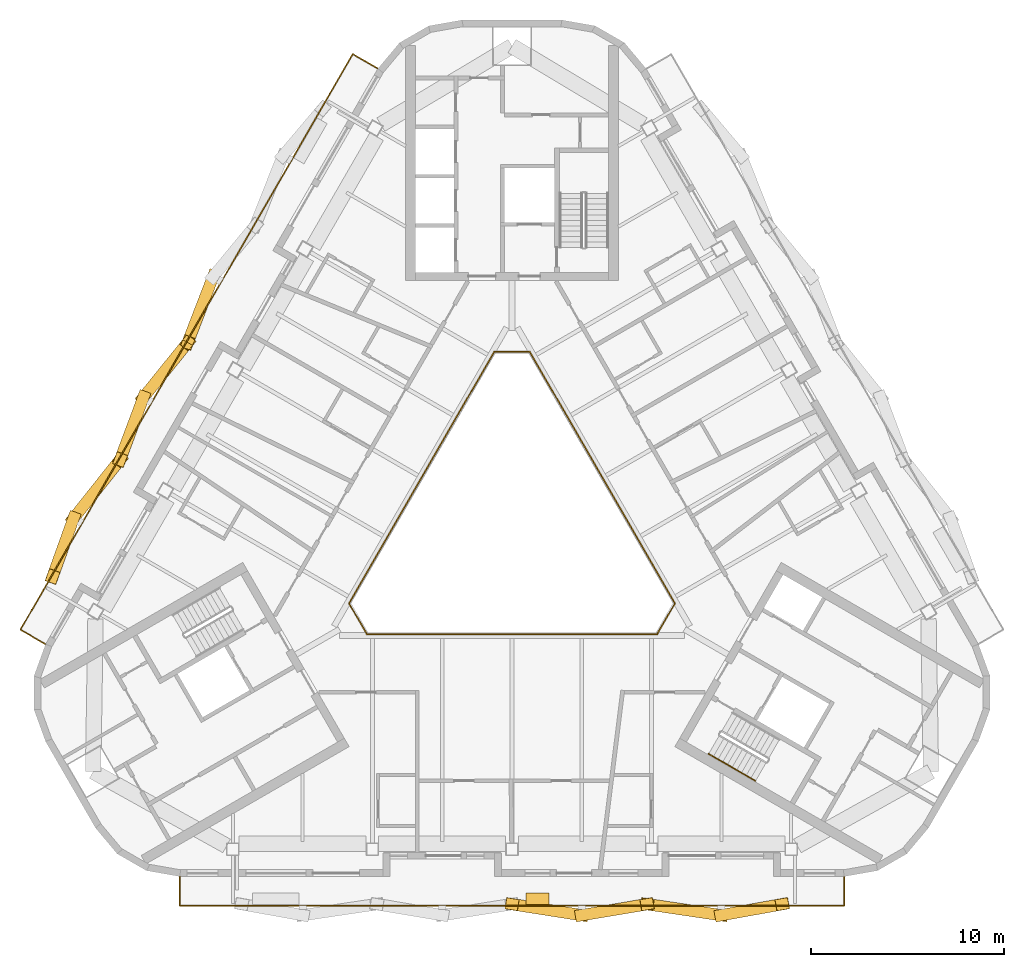
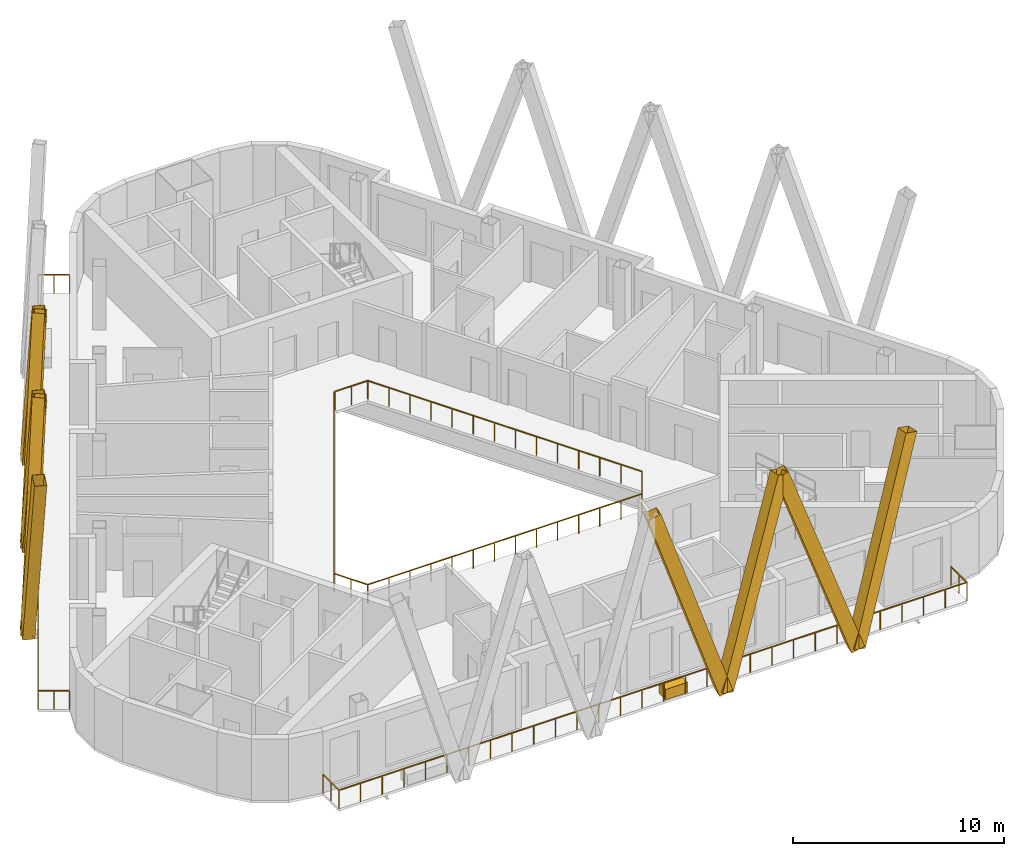
# One storey, part 10 of 13: 9 shading devices, 5 railings, 1 covering.
"""IFC4 building model written with IfcOpenShell, lengths in metres."""

import ifcopenshell
import ifcopenshell.guid

model = None  # the IFC model being written
_history = None  # IfcOwnerHistory: only IFC2X3 demands one
_inside = {}  # id of a spatial element -> (the spatial element, [elements in it])
_under = {}  # id of a project, library or spatial element -> (it, [spatial elements below it])
_declared = {}  # id of a project -> (the project, [libraries it declares])
_typed = {}  # id of a type object -> (the type object, [elements of that type])
_made_of = {}  # id of a material, layer set ... -> (it, [elements and type objects made of it])


def new_model(schema):
    """Start an empty IFC model of exactly this schema.

    Asked for "IFC4X3", IfcOpenShell would pick the latest addendum, in which some entities
    have other attributes; the version numbers below select the first issue.
    IFC2X3 requires an IfcOwnerHistory on every rooted entity: one is made here for all.
    """
    global model, _history
    if schema == "IFC4X3":
        model = ifcopenshell.file(schema_version=(4, 3, 0, 0))
    else:
        model = ifcopenshell.file(schema=schema)
    _inside.clear()
    _under.clear()
    _declared.clear()
    _typed.clear()
    _made_of.clear()
    _history = None
    if model.schema == "IFC2X3":
        org = make("IfcOrganization", Name="unknown")
        user = make(
            "IfcPersonAndOrganization",
            ThePerson=make("IfcPerson", FamilyName="unknown"),
            TheOrganization=org,
        )
        app = make(
            "IfcApplication",
            ApplicationDeveloper=org,
            Version="unknown",
            ApplicationFullName="unknown",
            ApplicationIdentifier="unknown",
        )
        _history = make(
            "IfcOwnerHistory",
            OwningUser=user,
            OwningApplication=app,
            ChangeAction="ADDED",
            CreationDate=0,
        )
    return model


def make(cls, **values):
    """One entity of the class cls with the attributes given. An attribute that is None is left unset."""
    return model.create_entity(
        cls, **{name: value for name, value in values.items() if value is not None}
    )


def rooted(cls, **values):
    """An entity with a GlobalId (a new one), such as an element, a storey or a relation."""
    return make(cls, GlobalId=ifcopenshell.guid.new(), OwnerHistory=_history, **values)


def si_unit(unit_type, name, prefix=None):
    """IfcSIUnit, for example si_unit("LENGTHUNIT", "METRE", prefix="MILLI")."""
    return make("IfcSIUnit", UnitType=unit_type, Prefix=prefix, Name=name)


def assignment(units):
    """IfcUnitAssignment: the units of a project."""
    return None if units is None else make("IfcUnitAssignment", Units=units)


def point(xyz):
    """IfcCartesianPoint."""
    return None if xyz is None else make("IfcCartesianPoint", Coordinates=xyz)


def direction(xyz):
    """IfcDirection."""
    return None if xyz is None else make("IfcDirection", DirectionRatios=xyz)


def frame(location, z_axis=None, x_axis=None):
    """IfcAxis2Placement3D, a coordinate frame: its origin and axes. An axis left out is left unset."""
    return make(
        "IfcAxis2Placement3D",
        Location=point(location),
        Axis=direction(z_axis),
        RefDirection=direction(x_axis),
    )


def frame_2d(location, x_axis=None):
    """IfcAxis2Placement2D, a coordinate frame in the plane: its origin and x axis."""
    return make(
        "IfcAxis2Placement2D", Location=point(location), RefDirection=direction(x_axis)
    )


def origin():
    """The frame at (0, 0, 0) with its axes left unset."""
    return frame((0.0, 0.0, 0.0))


def origin_2d():
    """The frame at (0, 0) in the plane with its x axis left unset."""
    return frame_2d((0.0, 0.0))


def place(relative_to, where):
    """IfcLocalPlacement: puts the frame where relative to a parent placement (None: the world)."""
    return make(
        "IfcLocalPlacement", PlacementRelTo=relative_to, RelativePlacement=where
    )


def context(
    kind, dimensions, precision=None, world=None, true_north=None, identifier=None
):
    """IfcGeometricRepresentationContext, for example the 3D "Model" context."""
    return make(
        "IfcGeometricRepresentationContext",
        ContextIdentifier=identifier,
        ContextType=kind,
        CoordinateSpaceDimension=dimensions,
        Precision=precision,
        WorldCoordinateSystem=world,
        TrueNorth=true_north,
    )


def subcontext(parent, identifier, kind, view, scale=None):
    """IfcGeometricRepresentationSubContext, for example "Body" below "Model"."""
    return make(
        "IfcGeometricRepresentationSubContext",
        ContextIdentifier=identifier,
        ContextType=kind,
        ParentContext=parent,
        TargetScale=scale,
        TargetView=view,
    )


def project(units=None, contexts=None):
    """IfcProject with its units and contexts."""
    return rooted(
        "IfcProject",
        Name="project",
        RepresentationContexts=contexts,
        UnitsInContext=assignment(units),
    )


def spatial(cls, under=None, at=None, **own):
    """A site, building, storey or space (cls), placed at a placement, below another one or the project."""
    s = rooted(cls, ObjectPlacement=at, **own)
    if under is not None:
        _under.setdefault(under.id(), (under, []))[1].append(s)
    return s


def profile(cls, at=None, kind="AREA", **sizes):
    """A parametric profile (cls). Its sizes go by their IFC names, for example OverallWidth=200.0."""
    return make(cls, ProfileType=kind, Position=at, **sizes)


def rectangle(**sizes):
    """IfcRectangleProfileDef."""
    return profile("IfcRectangleProfileDef", **sizes)


def hollow_rectangle(**sizes):
    """IfcRectangleHollowProfileDef."""
    return profile("IfcRectangleHollowProfileDef", **sizes)


def circle(**sizes):
    """IfcCircleProfileDef."""
    return profile("IfcCircleProfileDef", **sizes)


def extrude(swept, where, along, depth):
    """IfcExtrudedAreaSolid: the profile swept, set in the frame where, extruded along a direction by depth."""
    return make(
        "IfcExtrudedAreaSolid",
        SweptArea=swept,
        Position=where,
        ExtrudedDirection=direction(along),
        Depth=depth,
    )


def shape(context_of_items, identifier, shape_type, items):
    """IfcShapeRepresentation: the items that make up one representation, for example the "Body"."""
    return make(
        "IfcShapeRepresentation",
        ContextOfItems=context_of_items,
        RepresentationIdentifier=identifier,
        RepresentationType=shape_type,
        Items=items,
    )


def material(Name=None, Category=None):
    """IfcMaterial."""
    return make("IfcMaterial", Name=Name, Category=Category)


def material_profile(
    of_material, cross_section, Name=None, Category=None, Priority=None
):
    """IfcMaterialProfile: a cross section and its material."""
    return make(
        "IfcMaterialProfile",
        Name=Name,
        Material=of_material,
        Profile=cross_section,
        Priority=Priority,
        Category=Category,
    )


def profile_set(profiles, Name=None, composite=None):
    """IfcMaterialProfileSet."""
    return make(
        "IfcMaterialProfileSet",
        Name=Name,
        MaterialProfiles=profiles,
        CompositeProfile=composite,
    )


def made_of(thing, what):
    """Note that an element or type object is made of a material, layer set ...; save() writes the relation."""
    if what is not None:
        _made_of.setdefault(what.id(), (what, []))[1].append(thing)
    return thing


def type_object(cls, material=None, **own):
    """A type object (cls), such as IfcWallType, which elements share."""
    return made_of(rooted(cls, **own), material)


def element(
    cls,
    number,
    at=None,
    inside=None,
    cuts=None,
    type_object=None,
    material=None,
    context=None,
    identifier="Body",
    shape_type=None,
    held_by="IfcProductDefinitionShape",
    body=None,
    shapes=None,
    **own,
):
    """One element of the class cls, such as IfcWall. Its Tag is "e" and its number.

    at: its placement. inside: the storey or other place that contains it. cuts: it is an
    opening in that element (IfcRelVoidsElement). A single representation is given by context,
    identifier, shape_type and body (its items); several are given by shapes. held_by: the class
    of the entity that holds the representations. save() writes the other relations.
    """
    e = rooted(cls, Tag="e%d" % number, ObjectPlacement=at, **own)
    if body is not None:
        shapes = [shape(context, identifier, shape_type, body)]
    if shapes is not None:
        e.Representation = make(held_by, Representations=shapes)
    if inside is not None:
        _inside.setdefault(inside.id(), (inside, []))[1].append(e)
    if cuts is not None:
        rooted(
            "IfcRelVoidsElement", RelatingBuildingElement=cuts, RelatedOpeningElement=e
        )
    if type_object is not None:
        _typed.setdefault(type_object.id(), (type_object, []))[1].append(e)
    return made_of(e, material)


def aggregate(whole, parts):
    """IfcRelAggregates: a whole, such as a stair, and the parts it consists of."""
    return rooted("IfcRelAggregates", RelatingObject=whole, RelatedObjects=parts)


def save(model, path):
    """Write the relations noted so far, then the file.

    IfcRelAggregates (storeys below a building ...), IfcRelContainedInSpatialStructure (elements
    in a storey), IfcRelDefinesByType, IfcRelAssociatesMaterial and IfcRelDeclares: one each for
    every whole, place, type object, material and project.
    """
    for whole, parts in _under.values():
        aggregate(whole, parts)
    for where, things in _inside.values():
        rooted(
            "IfcRelContainedInSpatialStructure",
            RelatedElements=things,
            RelatingStructure=where,
        )
    for kind, things in _typed.values():
        rooted("IfcRelDefinesByType", RelatedObjects=things, RelatingType=kind)
    for what, things in _made_of.values():
        rooted("IfcRelAssociatesMaterial", RelatedObjects=things, RelatingMaterial=what)
    for by, libraries in _declared.values():
        rooted("IfcRelDeclares", RelatingContext=by, RelatedDefinitions=libraries)
    model.write(path)


model = new_model("IFC4")

# Units and contexts
model_context = context("Model", 3, precision=1e-05, world=origin(), true_north=direction((0.0, 1.0)))
body_context = subcontext(model_context, "Body", "Model", "MODEL_VIEW")
ifc_project = project(units=[si_unit("LENGTHUNIT", "METRE"), si_unit("AREAUNIT", "SQUARE_METRE"), si_unit("VOLUMEUNIT", "CUBIC_METRE"), si_unit("PLANEANGLEUNIT", "RADIAN"), si_unit("MASSUNIT", "GRAM", prefix="KILO")], contexts=[model_context])

# Site, building, storey
site_placement = place(None, origin())
site = spatial("IfcSite", under=ifc_project, at=site_placement, CompositionType="ELEMENT")
building_placement = place(site_placement, origin())
building = spatial("IfcBuilding", under=site, at=building_placement, Name="Apuvela Tower Hotel", CompositionType="ELEMENT")
storey_placement = place(building_placement, frame((0.0, 0.0, 280.0)))
storey = spatial("IfcBuildingStorey", under=building, at=storey_placement, Name="L69", CompositionType="ELEMENT", Elevation=280.0)

# Railing
ifc_material_1 = material(Name="Stainless steel 316 handrail", Category="steel")
railing_type_1 = type_object("IfcRailingType", Name="COR-HANDRAIL-900", PredefinedType="HANDRAIL", material=ifc_material_1)
railing_1_placement = place(storey_placement, frame((10.1689453125, -11.5869140625, 0.168212890625)))
element("IfcRailing", 1, at=railing_1_placement, inside=storey, type_object=railing_type_1, Name="L69 ST3 stair handrail 1", PredefinedType="HANDRAIL", context=body_context, shape_type="SweptSolid", body=[
    extrude(circle(Radius=0.02392578125, at=origin_2d()), frame((0.0, 0.0, 0.8759765625), z_axis=(0.742390482028, -0.42860119049, 0.514934356695), x_axis=(0.49998411664, 0.866034573852, 0.0)), (0.0, 0.0, 1.0), 3.26611328125),
    extrude(rectangle(XDim=0.0419921875, YDim=0.0419921875, at=origin_2d()), origin(), (0.0, 0.0, 1.0), 0.851806640625),
    extrude(rectangle(XDim=0.0419921875, YDim=0.0419921875, at=origin_2d()), frame((0.808349609375, -0.466552734375, 0.560546875)), (0.0, 0.0, 1.0), 0.851806640625),
    extrude(rectangle(XDim=0.0419921875, YDim=0.0419921875, at=origin_2d()), frame((1.616455078125, -0.933349609375, 1.121337890625)), (0.0, 0.0, 1.0), 0.851806640625),
    extrude(rectangle(XDim=0.0419921875, YDim=0.0419921875, at=origin_2d()), frame((2.4248046875, -1.39990234375, 1.681884765625)), (0.0, 0.0, 1.0), 0.851806640625),
])

# Shading devices
ifc_material_2 = material(Name="Aluminium 6063-T6, black anodised", Category="aluminium")
ifc_material_profile = material_profile(ifc_material_2, hollow_rectangle(XDim=0.60009765625, YDim=0.699951171875, WallThickness=0.011962890625, at=origin_2d()), Name="AL BOX 700x600x12")
ifc_profile_set = profile_set([ifc_material_profile], Name="Aluminium 6063-T6, black anodised")
shading_device_type = type_object("IfcShadingDeviceType", Name="ENV-FIN-700x600", PredefinedType="USERDEFINED", material=ifc_profile_set)
shading_device_1_placement = place(storey_placement, frame((3.607666015625, -19.9287109375, -0.10009765625), z_axis=(-0.308732219208, 0.048533866497, 0.949909932902), x_axis=(-0.155296550327, -0.987867896764, 0.0)))
element("IfcShadingDevice", 2, at=shading_device_1_placement, inside=storey, type_object=shading_device_type, Name="Lattice fin S557", ObjectType="FIN", PredefinedType="USERDEFINED", context=body_context, shape_type="SweptSolid", body=[
    extrude(hollow_rectangle(XDim=0.60009765625, YDim=0.699951171875, WallThickness=0.011962890625, at=origin_2d()), origin(), (0.0, 0.0, 1.0), 11.685302734375),
])
shading_device_2_placement = place(storey_placement, frame((3.607666015625, -19.9287109375, -0.10009765625), z_axis=(0.29090140611, 0.048819821297, 0.955506670292), x_axis=(-0.165508034258, 0.986208441759, 0.0)))
element("IfcShadingDevice", 3, at=shading_device_2_placement, inside=storey, type_object=shading_device_type, Name="Lattice fin S558", ObjectType="FIN", PredefinedType="USERDEFINED", context=body_context, shape_type="SweptSolid", body=[
    extrude(hollow_rectangle(XDim=0.60009765625, YDim=0.699951171875, WallThickness=0.011962890625, at=origin_2d()), origin(), (0.0, 0.0, 1.0), 11.616943359375),
])
shading_device_3_placement = place(storey_placement, frame((10.822998046875, -19.9287109375, -0.10009765625), z_axis=(-0.326243397672, 0.048234687678, 0.944054373635), x_axis=(-0.146258864264, -0.989246351838, 0.0)))
element("IfcShadingDevice", 4, at=shading_device_3_placement, inside=storey, type_object=shading_device_type, Name="Lattice fin S559", ObjectType="FIN", PredefinedType="USERDEFINED", context=body_context, shape_type="SweptSolid", body=[
    extrude(hollow_rectangle(XDim=0.60009765625, YDim=0.699951171875, WallThickness=0.011962890625, at=origin_2d()), origin(), (0.0, 0.0, 1.0), 11.7578125),
])
shading_device_4_placement = place(storey_placement, frame((10.822998046875, -19.9287109375, -0.10009765625), z_axis=(0.27276226304, 0.049091712795, 0.960828159244), x_axis=(-0.177133794906, 0.984186780394, 0.0)))
element("IfcShadingDevice", 5, at=shading_device_4_placement, inside=storey, type_object=shading_device_type, Name="Lattice fin S560", ObjectType="FIN", PredefinedType="USERDEFINED", context=body_context, shape_type="SweptSolid", body=[
    extrude(hollow_rectangle(XDim=0.60009765625, YDim=0.699951171875, WallThickness=0.011962890625, at=origin_2d()), origin(), (0.0, 0.0, 1.0), 11.552734375),
])
for number, where, z_axis, x_axis, name in (
    (6, (-15.455078125, 13.088623046875, -0.10009765625), (-0.112320151991, -0.291622894621, 0.949915928274), (0.93317663974, -0.359418083912, 0.0), "Lattice fin NW620"),
    (7, (-19.0625, 6.840087890625, -0.10009765625), (0.196391864595, 0.243108057067, 0.949909842095), (-0.777885876447, 0.628405572242, 0.0), "Lattice fin NW621"),
):
    element("IfcShadingDevice", number, at=place(storey_placement, frame(where, z_axis=z_axis, x_axis=x_axis)), inside=storey, type_object=shading_device_type, Name=name, ObjectType="FIN", PredefinedType="USERDEFINED", context=body_context, shape_type="SweptSolid", body=[
        extrude(hollow_rectangle(XDim=0.60009765625, YDim=0.699951171875, WallThickness=0.011962890625, at=origin_2d()), origin(), (0.0, 0.0, 1.0), 11.685302734375),
    ])
shading_device_5_placement = place(storey_placement, frame((-19.0625, 6.840087890625, -0.10009765625), z_axis=(-0.1031876675, -0.27633699388, 0.955505191555), x_axis=(0.936817233822, -0.34981919675, 0.0)))
element("IfcShadingDevice", 8, at=shading_device_5_placement, inside=storey, type_object=shading_device_type, Name="Lattice fin NW622", ObjectType="FIN", PredefinedType="USERDEFINED", context=body_context, shape_type="SweptSolid", body=[
    extrude(hollow_rectangle(XDim=0.60009765625, YDim=0.699951171875, WallThickness=0.011962890625, at=origin_2d()), origin(), (0.0, 0.0, 1.0), 11.616943359375),
])
shading_device_6_placement = place(storey_placement, frame((-22.67041015625, 0.59130859375, -0.10009765625), z_axis=(0.204898039953, 0.258427341433, 0.944050900335), x_axis=(-0.783588570734, 0.621280091275, 0.0)))
element("IfcShadingDevice", 9, at=shading_device_6_placement, inside=storey, type_object=shading_device_type, Name="Lattice fin NW623", ObjectType="FIN", PredefinedType="USERDEFINED", context=body_context, shape_type="SweptSolid", body=[
    extrude(hollow_rectangle(XDim=0.60009765625, YDim=0.699951171875, WallThickness=0.011962890625, at=origin_2d()), origin(), (0.0, 0.0, 1.0), 11.758056640625),
])
shading_device_7_placement = place(storey_placement, frame((-22.67041015625, 0.59130859375, -0.10009765625), z_axis=(-0.093872413584, -0.260759052501, 0.960829166141), x_axis=(0.940888383931, -0.338716768087, 0.0)))
element("IfcShadingDevice", 10, at=shading_device_7_placement, inside=storey, type_object=shading_device_type, Name="Lattice fin NW624", ObjectType="FIN", PredefinedType="USERDEFINED", context=body_context, shape_type="SweptSolid", body=[
    extrude(hollow_rectangle(XDim=0.60009765625, YDim=0.699951171875, WallThickness=0.011962890625, at=origin_2d()), origin(), (0.0, 0.0, 1.0), 11.552734375),
])

# Railings
ifc_material_3 = material(Name="Stainless steel 316 rail with laminated glass infill", Category="steel")
railing_type_2 = type_object("IfcRailingType", Name="ENV-GUARD-1100", PredefinedType="GUARDRAIL", material=ifc_material_3)
railing_2_placement = place(storey_placement, frame((-17.18505859375, -17.9287109375, 0.0)))
element("IfcRailing", 11, at=railing_2_placement, inside=storey, type_object=railing_type_2, Name="Balcony guard S L69", PredefinedType="GUARDRAIL", context=body_context, shape_type="SweptSolid", body=[
    extrude(rectangle(XDim=0.050048828125, YDim=0.050048828125, at=origin_2d()), frame((0.0, 0.0, 1.0751953125), z_axis=(0.0, -1.0, 0.0), x_axis=(1.0, 0.0, 0.0)), (0.0, 0.0, 1.0), 1.5),
    extrude(rectangle(XDim=0.050048828125, YDim=0.050048828125, at=origin_2d()), frame((0.0, -1.5, 1.0751953125), z_axis=(1.0, 0.0, 0.0), x_axis=(0.0, 1.0, 0.0)), (0.0, 0.0, 1.0), 34.3701171875),
    extrude(rectangle(XDim=0.050048828125, YDim=0.050048828125, at=origin_2d()), frame((34.3701171875, -1.5, 1.0751953125), z_axis=(0.0, 1.0, 0.0), x_axis=(-1.0, 0.0, 0.0)), (0.0, 0.0, 1.0), 1.5),
    extrude(rectangle(XDim=0.0400390625, YDim=0.0400390625, at=origin_2d()), origin(), (0.0, 0.0, 1.0), 1.050048828125),
    extrude(rectangle(XDim=0.0400390625, YDim=0.0400390625, at=origin_2d()), frame((0.0, -0.75, 0.0)), (0.0, 0.0, 1.0), 1.050048828125),
    extrude(rectangle(XDim=0.0400390625, YDim=0.0400390625, at=origin_2d()), frame((0.0, -1.5, 0.0)), (0.0, 0.0, 1.0), 1.050048828125),
    extrude(rectangle(XDim=0.0400390625, YDim=0.0400390625, at=origin_2d()), frame((1.18505859375, -1.5, 0.0)), (0.0, 0.0, 1.0), 1.050048828125),
    extrude(rectangle(XDim=0.0400390625, YDim=0.0400390625, at=origin_2d()), frame((2.370361328125, -1.5, 0.0)), (0.0, 0.0, 1.0), 1.050048828125),
    extrude(rectangle(XDim=0.0400390625, YDim=0.0400390625, at=origin_2d()), frame((3.555419921875, -1.5, 0.0)), (0.0, 0.0, 1.0), 1.050048828125),
    extrude(rectangle(XDim=0.0400390625, YDim=0.0400390625, at=origin_2d()), frame((4.74072265625, -1.5, 0.0)), (0.0, 0.0, 1.0), 1.050048828125),
    extrude(rectangle(XDim=0.0400390625, YDim=0.0400390625, at=origin_2d()), frame((5.92578125, -1.5, 0.0)), (0.0, 0.0, 1.0), 1.050048828125),
    extrude(rectangle(XDim=0.0400390625, YDim=0.0400390625, at=origin_2d()), frame((7.111083984375, -1.5, 0.0)), (0.0, 0.0, 1.0), 1.050048828125),
    extrude(rectangle(XDim=0.0400390625, YDim=0.0400390625, at=origin_2d()), frame((8.296142578125, -1.5, 0.0)), (0.0, 0.0, 1.0), 1.050048828125),
    extrude(rectangle(XDim=0.0400390625, YDim=0.0400390625, at=origin_2d()), frame((9.4814453125, -1.5, 0.0)), (0.0, 0.0, 1.0), 1.050048828125),
    extrude(rectangle(XDim=0.0400390625, YDim=0.0400390625, at=origin_2d()), frame((10.66650390625, -1.5, 0.0)), (0.0, 0.0, 1.0), 1.050048828125),
    extrude(rectangle(XDim=0.0400390625, YDim=0.0400390625, at=origin_2d()), frame((11.851806640625, -1.5, 0.0)), (0.0, 0.0, 1.0), 1.050048828125),
    extrude(rectangle(XDim=0.0400390625, YDim=0.0400390625, at=origin_2d()), frame((13.036865234375, -1.5, 0.0)), (0.0, 0.0, 1.0), 1.050048828125),
    extrude(rectangle(XDim=0.0400390625, YDim=0.0400390625, at=origin_2d()), frame((14.22216796875, -1.5, 0.0)), (0.0, 0.0, 1.0), 1.050048828125),
    extrude(rectangle(XDim=0.0400390625, YDim=0.0400390625, at=origin_2d()), frame((15.4072265625, -1.5, 0.0)), (0.0, 0.0, 1.0), 1.050048828125),
    extrude(rectangle(XDim=0.0400390625, YDim=0.0400390625, at=origin_2d()), frame((16.592529296875, -1.5, 0.0)), (0.0, 0.0, 1.0), 1.050048828125),
    extrude(rectangle(XDim=0.0400390625, YDim=0.0400390625, at=origin_2d()), frame((17.777587890625, -1.5, 0.0)), (0.0, 0.0, 1.0), 1.050048828125),
    extrude(rectangle(XDim=0.0400390625, YDim=0.0400390625, at=origin_2d()), frame((18.962890625, -1.5, 0.0)), (0.0, 0.0, 1.0), 1.050048828125),
    extrude(rectangle(XDim=0.0400390625, YDim=0.0400390625, at=origin_2d()), frame((20.14794921875, -1.5, 0.0)), (0.0, 0.0, 1.0), 1.050048828125),
    extrude(rectangle(XDim=0.0400390625, YDim=0.0400390625, at=origin_2d()), frame((21.333251953125, -1.5, 0.0)), (0.0, 0.0, 1.0), 1.050048828125),
    extrude(rectangle(XDim=0.0400390625, YDim=0.0400390625, at=origin_2d()), frame((22.518310546875, -1.5, 0.0)), (0.0, 0.0, 1.0), 1.050048828125),
    extrude(rectangle(XDim=0.0400390625, YDim=0.0400390625, at=origin_2d()), frame((23.70361328125, -1.5, 0.0)), (0.0, 0.0, 1.0), 1.050048828125),
    extrude(rectangle(XDim=0.0400390625, YDim=0.0400390625, at=origin_2d()), frame((24.888671875, -1.5, 0.0)), (0.0, 0.0, 1.0), 1.050048828125),
    extrude(rectangle(XDim=0.0400390625, YDim=0.0400390625, at=origin_2d()), frame((26.073974609375, -1.5, 0.0)), (0.0, 0.0, 1.0), 1.050048828125),
    extrude(rectangle(XDim=0.0400390625, YDim=0.0400390625, at=origin_2d()), frame((27.259033203125, -1.5, 0.0)), (0.0, 0.0, 1.0), 1.050048828125),
    extrude(rectangle(XDim=0.0400390625, YDim=0.0400390625, at=origin_2d()), frame((28.4443359375, -1.5, 0.0)), (0.0, 0.0, 1.0), 1.050048828125),
    extrude(rectangle(XDim=0.0400390625, YDim=0.0400390625, at=origin_2d()), frame((29.62939453125, -1.5, 0.0)), (0.0, 0.0, 1.0), 1.050048828125),
    extrude(rectangle(XDim=0.0400390625, YDim=0.0400390625, at=origin_2d()), frame((30.814697265625, -1.5, 0.0)), (0.0, 0.0, 1.0), 1.050048828125),
    extrude(rectangle(XDim=0.0400390625, YDim=0.0400390625, at=origin_2d()), frame((31.999755859375, -1.5, 0.0)), (0.0, 0.0, 1.0), 1.050048828125),
    extrude(rectangle(XDim=0.0400390625, YDim=0.0400390625, at=origin_2d()), frame((33.18505859375, -1.5, 0.0)), (0.0, 0.0, 1.0), 1.050048828125),
    extrude(rectangle(XDim=0.0400390625, YDim=0.0400390625, at=origin_2d()), frame((34.3701171875, -1.5, 0.0)), (0.0, 0.0, 1.0), 1.050048828125),
    extrude(rectangle(XDim=0.0400390625, YDim=0.0400390625, at=origin_2d()), frame((34.3701171875, -0.75, 0.0)), (0.0, 0.0, 1.0), 1.050048828125),
    extrude(rectangle(XDim=0.0400390625, YDim=0.0400390625, at=origin_2d()), frame((34.3701171875, 0.0, 0.0)), (0.0, 0.0, 1.0), 1.050048828125),
])
railing_3_placement = place(storey_placement, frame((-6.93408203125, 23.84716796875, 0.0)))
element("IfcRailing", 12, at=railing_3_placement, inside=storey, type_object=railing_type_2, Name="Balcony guard NW L69", PredefinedType="GUARDRAIL", context=body_context, shape_type="SweptSolid", body=[
    extrude(rectangle(XDim=0.050048828125, YDim=0.050048828125, at=origin_2d()), frame((0.0, 0.0, 1.0751953125), z_axis=(-0.866031096941, 0.499990139034, 0.0), x_axis=(-0.499990139034, -0.866031096941, 0.0)), (0.0, 0.0, 1.0), 1.5),
    extrude(rectangle(XDim=0.050048828125, YDim=0.050048828125, at=origin_2d()), frame((-1.299072265625, 0.75, 1.0751953125), z_axis=(-0.499997097509, -0.866027079532, 0.0), x_axis=(0.866027079532, -0.499997097509, 0.0)), (0.0, 0.0, 1.0), 34.370361328125),
    extrude(rectangle(XDim=0.050048828125, YDim=0.050048828125, at=origin_2d()), frame((-18.484130859375, -29.015625, 1.0751953125), z_axis=(0.86599040064, -0.500060622324, 0.0), x_axis=(0.500060622324, 0.86599040064, 0.0)), (0.0, 0.0, 1.0), 1.499755859375),
    extrude(rectangle(XDim=0.0400390625, YDim=0.0400390625, at=origin_2d()), origin(), (0.0, 0.0, 1.0), 1.050048828125),
    extrude(rectangle(XDim=0.0400390625, YDim=0.0400390625, at=origin_2d()), frame((-0.6494140625, 0.375, 0.0)), (0.0, 0.0, 1.0), 1.050048828125),
    extrude(rectangle(XDim=0.0400390625, YDim=0.0400390625, at=origin_2d()), frame((-1.299072265625, 0.75, 0.0)), (0.0, 0.0, 1.0), 1.050048828125),
    extrude(rectangle(XDim=0.0400390625, YDim=0.0400390625, at=origin_2d()), frame((-1.8916015625, -0.2763671875, 0.0)), (0.0, 0.0, 1.0), 1.050048828125),
    extrude(rectangle(XDim=0.0400390625, YDim=0.0400390625, at=origin_2d()), frame((-2.484130859375, -1.302734375, 0.0)), (0.0, 0.0, 1.0), 1.050048828125),
    extrude(rectangle(XDim=0.0400390625, YDim=0.0400390625, at=origin_2d()), frame((-3.076904296875, -2.3291015625, 0.0)), (0.0, 0.0, 1.0), 1.050048828125),
    extrude(rectangle(XDim=0.0400390625, YDim=0.0400390625, at=origin_2d()), frame((-3.66943359375, -3.355712890625, 0.0)), (0.0, 0.0, 1.0), 1.050048828125),
    extrude(rectangle(XDim=0.0400390625, YDim=0.0400390625, at=origin_2d()), frame((-4.261962890625, -4.382080078125, 0.0)), (0.0, 0.0, 1.0), 1.050048828125),
    extrude(rectangle(XDim=0.0400390625, YDim=0.0400390625, at=origin_2d()), frame((-4.8544921875, -5.408447265625, 0.0)), (0.0, 0.0, 1.0), 1.050048828125),
    extrude(rectangle(XDim=0.0400390625, YDim=0.0400390625, at=origin_2d()), frame((-5.447265625, -6.434814453125, 0.0)), (0.0, 0.0, 1.0), 1.050048828125),
    extrude(rectangle(XDim=0.0400390625, YDim=0.0400390625, at=origin_2d()), frame((-6.039794921875, -7.461181640625, 0.0)), (0.0, 0.0, 1.0), 1.050048828125),
    extrude(rectangle(XDim=0.0400390625, YDim=0.0400390625, at=origin_2d()), frame((-6.63232421875, -8.487548828125, 0.0)), (0.0, 0.0, 1.0), 1.050048828125),
    extrude(rectangle(XDim=0.0400390625, YDim=0.0400390625, at=origin_2d()), frame((-7.224853515625, -9.513916015625, 0.0)), (0.0, 0.0, 1.0), 1.050048828125),
    extrude(rectangle(XDim=0.0400390625, YDim=0.0400390625, at=origin_2d()), frame((-7.817626953125, -10.54052734375, 0.0)), (0.0, 0.0, 1.0), 1.050048828125),
    extrude(rectangle(XDim=0.0400390625, YDim=0.0400390625, at=origin_2d()), frame((-8.41015625, -11.56689453125, 0.0)), (0.0, 0.0, 1.0), 1.050048828125),
    extrude(rectangle(XDim=0.0400390625, YDim=0.0400390625, at=origin_2d()), frame((-9.002685546875, -12.59326171875, 0.0)), (0.0, 0.0, 1.0), 1.050048828125),
    extrude(rectangle(XDim=0.0400390625, YDim=0.0400390625, at=origin_2d()), frame((-9.59521484375, -13.61962890625, 0.0)), (0.0, 0.0, 1.0), 1.050048828125),
    extrude(rectangle(XDim=0.0400390625, YDim=0.0400390625, at=origin_2d()), frame((-10.18798828125, -14.64599609375, 0.0)), (0.0, 0.0, 1.0), 1.050048828125),
    extrude(rectangle(XDim=0.0400390625, YDim=0.0400390625, at=origin_2d()), frame((-10.780517578125, -15.67236328125, 0.0)), (0.0, 0.0, 1.0), 1.050048828125),
    extrude(rectangle(XDim=0.0400390625, YDim=0.0400390625, at=origin_2d()), frame((-11.373046875, -16.69873046875, 0.0)), (0.0, 0.0, 1.0), 1.050048828125),
    extrude(rectangle(XDim=0.0400390625, YDim=0.0400390625, at=origin_2d()), frame((-11.965576171875, -17.72509765625, 0.0)), (0.0, 0.0, 1.0), 1.050048828125),
    extrude(rectangle(XDim=0.0400390625, YDim=0.0400390625, at=origin_2d()), frame((-12.558349609375, -18.751708984375, 0.0)), (0.0, 0.0, 1.0), 1.050048828125),
    extrude(rectangle(XDim=0.0400390625, YDim=0.0400390625, at=origin_2d()), frame((-13.15087890625, -19.778076171875, 0.0)), (0.0, 0.0, 1.0), 1.050048828125),
    extrude(rectangle(XDim=0.0400390625, YDim=0.0400390625, at=origin_2d()), frame((-13.743408203125, -20.804443359375, 0.0)), (0.0, 0.0, 1.0), 1.050048828125),
    extrude(rectangle(XDim=0.0400390625, YDim=0.0400390625, at=origin_2d()), frame((-14.3359375, -21.830810546875, 0.0)), (0.0, 0.0, 1.0), 1.050048828125),
    extrude(rectangle(XDim=0.0400390625, YDim=0.0400390625, at=origin_2d()), frame((-14.9287109375, -22.857177734375, 0.0)), (0.0, 0.0, 1.0), 1.050048828125),
    extrude(rectangle(XDim=0.0400390625, YDim=0.0400390625, at=origin_2d()), frame((-15.521240234375, -23.883544921875, 0.0)), (0.0, 0.0, 1.0), 1.050048828125),
    extrude(rectangle(XDim=0.0400390625, YDim=0.0400390625, at=origin_2d()), frame((-16.11376953125, -24.909912109375, 0.0)), (0.0, 0.0, 1.0), 1.050048828125),
    extrude(rectangle(XDim=0.0400390625, YDim=0.0400390625, at=origin_2d()), frame((-16.706298828125, -25.9365234375, 0.0)), (0.0, 0.0, 1.0), 1.050048828125),
    extrude(rectangle(XDim=0.0400390625, YDim=0.0400390625, at=origin_2d()), frame((-17.299072265625, -26.962890625, 0.0)), (0.0, 0.0, 1.0), 1.050048828125),
    extrude(rectangle(XDim=0.0400390625, YDim=0.0400390625, at=origin_2d()), frame((-17.8916015625, -27.9892578125, 0.0)), (0.0, 0.0, 1.0), 1.050048828125),
    extrude(rectangle(XDim=0.0400390625, YDim=0.0400390625, at=origin_2d()), frame((-18.484130859375, -29.015625, 0.0)), (0.0, 0.0, 1.0), 1.050048828125),
    extrude(rectangle(XDim=0.0400390625, YDim=0.0400390625, at=origin_2d()), frame((-17.834716796875, -29.390625, 0.0)), (0.0, 0.0, 1.0), 1.050048828125),
    extrude(rectangle(XDim=0.0400390625, YDim=0.0400390625, at=origin_2d()), frame((-17.185302734375, -29.765625, 0.0)), (0.0, 0.0, 1.0), 1.050048828125),
])
railing_4_placement = place(storey_placement, frame((-0.923828125, 9.199951171875, 0.0)))
element("IfcRailing", 13, at=railing_4_placement, inside=storey, type_object=railing_type_2, Name="Atrium void guard A L69", PredefinedType="GUARDRAIL", context=body_context, shape_type="SweptSolid", body=[
    extrude(rectangle(XDim=0.050048828125, YDim=0.050048828125, at=origin_2d()), frame((0.0, 0.0, 1.0751953125), z_axis=(-0.499990886379, -0.866030665472, 0.0), x_axis=(0.866030665472, -0.499990886379, 0.0)), (0.0, 0.0, 1.0), 15.010986328125),
    extrude(rectangle(XDim=0.050048828125, YDim=0.050048828125, at=origin_2d()), frame((-7.50537109375, -13.0, 1.0751953125), z_axis=(0.499962699187, -0.866046938348, 0.0), x_axis=(0.866046938348, 0.499962699187, 0.0)), (0.0, 0.0, 1.0), 1.847412109375),
    extrude(rectangle(XDim=0.050048828125, YDim=0.050048828125, at=origin_2d()), frame((-6.581787109375, -14.599853515625, 1.0751953125), z_axis=(1.0, 0.0, 0.0), x_axis=(0.0, 1.0, 0.0)), (0.0, 0.0, 1.0), 15.01123046875),
    extrude(rectangle(XDim=0.0400390625, YDim=0.0400390625, at=origin_2d()), origin(), (0.0, 0.0, 1.0), 1.050048828125),
    extrude(rectangle(XDim=0.0400390625, YDim=0.0400390625, at=origin_2d()), frame((-0.577392578125, -1.0, 0.0)), (0.0, 0.0, 1.0), 1.050048828125),
    extrude(rectangle(XDim=0.0400390625, YDim=0.0400390625, at=origin_2d()), frame((-1.15478515625, -2.0, 0.0)), (0.0, 0.0, 1.0), 1.050048828125),
    extrude(rectangle(XDim=0.0400390625, YDim=0.0400390625, at=origin_2d()), frame((-1.73193359375, -3.0, 0.0)), (0.0, 0.0, 1.0), 1.050048828125),
    extrude(rectangle(XDim=0.0400390625, YDim=0.0400390625, at=origin_2d()), frame((-2.309326171875, -4.0, 0.0)), (0.0, 0.0, 1.0), 1.050048828125),
    extrude(rectangle(XDim=0.0400390625, YDim=0.0400390625, at=origin_2d()), frame((-2.88671875, -5.0, 0.0)), (0.0, 0.0, 1.0), 1.050048828125),
    extrude(rectangle(XDim=0.0400390625, YDim=0.0400390625, at=origin_2d()), frame((-3.464111328125, -6.0, 0.0)), (0.0, 0.0, 1.0), 1.050048828125),
    extrude(rectangle(XDim=0.0400390625, YDim=0.0400390625, at=origin_2d()), frame((-4.041259765625, -7.0, 0.0)), (0.0, 0.0, 1.0), 1.050048828125),
    extrude(rectangle(XDim=0.0400390625, YDim=0.0400390625, at=origin_2d()), frame((-4.61865234375, -8.0, 0.0)), (0.0, 0.0, 1.0), 1.050048828125),
    extrude(rectangle(XDim=0.0400390625, YDim=0.0400390625, at=origin_2d()), frame((-5.196044921875, -9.0, 0.0)), (0.0, 0.0, 1.0), 1.050048828125),
    extrude(rectangle(XDim=0.0400390625, YDim=0.0400390625, at=origin_2d()), frame((-5.7734375, -10.0, 0.0)), (0.0, 0.0, 1.0), 1.050048828125),
    extrude(rectangle(XDim=0.0400390625, YDim=0.0400390625, at=origin_2d()), frame((-6.3505859375, -11.0, 0.0)), (0.0, 0.0, 1.0), 1.050048828125),
    extrude(rectangle(XDim=0.0400390625, YDim=0.0400390625, at=origin_2d()), frame((-6.927978515625, -12.0, 0.0)), (0.0, 0.0, 1.0), 1.050048828125),
    extrude(rectangle(XDim=0.0400390625, YDim=0.0400390625, at=origin_2d()), frame((-7.50537109375, -13.0, 0.0)), (0.0, 0.0, 1.0), 1.050048828125),
    extrude(rectangle(XDim=0.0400390625, YDim=0.0400390625, at=origin_2d()), frame((-7.04345703125, -13.7998046875, 0.0)), (0.0, 0.0, 1.0), 1.050048828125),
    extrude(rectangle(XDim=0.0400390625, YDim=0.0400390625, at=origin_2d()), frame((-6.581787109375, -14.599853515625, 0.0)), (0.0, 0.0, 1.0), 1.050048828125),
    extrude(rectangle(XDim=0.0400390625, YDim=0.0400390625, at=origin_2d()), frame((-5.427001953125, -14.599853515625, 0.0)), (0.0, 0.0, 1.0), 1.050048828125),
    extrude(rectangle(XDim=0.0400390625, YDim=0.0400390625, at=origin_2d()), frame((-4.2724609375, -14.599853515625, 0.0)), (0.0, 0.0, 1.0), 1.050048828125),
    extrude(rectangle(XDim=0.0400390625, YDim=0.0400390625, at=origin_2d()), frame((-3.11767578125, -14.599853515625, 0.0)), (0.0, 0.0, 1.0), 1.050048828125),
    extrude(rectangle(XDim=0.0400390625, YDim=0.0400390625, at=origin_2d()), frame((-1.962890625, -14.599853515625, 0.0)), (0.0, 0.0, 1.0), 1.050048828125),
    extrude(rectangle(XDim=0.0400390625, YDim=0.0400390625, at=origin_2d()), frame((-0.808349609375, -14.599853515625, 0.0)), (0.0, 0.0, 1.0), 1.050048828125),
    extrude(rectangle(XDim=0.0400390625, YDim=0.0400390625, at=origin_2d()), frame((0.346435546875, -14.599853515625, 0.0)), (0.0, 0.0, 1.0), 1.050048828125),
    extrude(rectangle(XDim=0.0400390625, YDim=0.0400390625, at=origin_2d()), frame((1.501220703125, -14.599853515625, 0.0)), (0.0, 0.0, 1.0), 1.050048828125),
    extrude(rectangle(XDim=0.0400390625, YDim=0.0400390625, at=origin_2d()), frame((2.656005859375, -14.599853515625, 0.0)), (0.0, 0.0, 1.0), 1.050048828125),
    extrude(rectangle(XDim=0.0400390625, YDim=0.0400390625, at=origin_2d()), frame((3.810546875, -14.599853515625, 0.0)), (0.0, 0.0, 1.0), 1.050048828125),
    extrude(rectangle(XDim=0.0400390625, YDim=0.0400390625, at=origin_2d()), frame((4.96533203125, -14.599853515625, 0.0)), (0.0, 0.0, 1.0), 1.050048828125),
    extrude(rectangle(XDim=0.0400390625, YDim=0.0400390625, at=origin_2d()), frame((6.1201171875, -14.599853515625, 0.0)), (0.0, 0.0, 1.0), 1.050048828125),
    extrude(rectangle(XDim=0.0400390625, YDim=0.0400390625, at=origin_2d()), frame((7.274658203125, -14.599853515625, 0.0)), (0.0, 0.0, 1.0), 1.050048828125),
    extrude(rectangle(XDim=0.0400390625, YDim=0.0400390625, at=origin_2d()), frame((8.429443359375, -14.599853515625, 0.0)), (0.0, 0.0, 1.0), 1.050048828125),
])
railing_5_placement = place(storey_placement, frame((7.53564453125, -5.347900390625, 0.0)))
element("IfcRailing", 14, at=railing_5_placement, inside=storey, type_object=railing_type_2, Name="Atrium void guard B L69", PredefinedType="GUARDRAIL", context=body_context, shape_type="SweptSolid", body=[
    extrude(rectangle(XDim=0.050048828125, YDim=0.050048828125, at=origin_2d()), frame((0.0, 0.0, 1.0751953125), z_axis=(0.499958946799, 0.866049104564, 0.0), x_axis=(-0.866049104564, 0.499958946799, 0.0)), (0.0, 0.0, 1.0), 1.787353515625),
    extrude(rectangle(XDim=0.050048828125, YDim=0.050048828125, at=origin_2d()), frame((0.8935546875, 1.5478515625, 1.0751953125), z_axis=(-0.499990886379, 0.866030665472, 0.0), x_axis=(-0.866030665472, -0.499990886379, 0.0)), (0.0, 0.0, 1.0), 15.010986328125),
    extrude(rectangle(XDim=0.050048828125, YDim=0.050048828125, at=origin_2d()), frame((-6.61181640625, 14.5478515625, 1.0751953125), z_axis=(-1.0, 0.0, 0.0), x_axis=(0.0, -1.0, 0.0)), (0.0, 0.0, 1.0), 1.78759765625),
    extrude(rectangle(XDim=0.0400390625, YDim=0.0400390625, at=origin_2d()), origin(), (0.0, 0.0, 1.0), 1.050048828125),
    extrude(rectangle(XDim=0.0400390625, YDim=0.0400390625, at=origin_2d()), frame((0.44677734375, 0.77392578125, 0.0)), (0.0, 0.0, 1.0), 1.050048828125),
    extrude(rectangle(XDim=0.0400390625, YDim=0.0400390625, at=origin_2d()), frame((0.8935546875, 1.5478515625, 0.0)), (0.0, 0.0, 1.0), 1.050048828125),
    extrude(rectangle(XDim=0.0400390625, YDim=0.0400390625, at=origin_2d()), frame((0.316162109375, 2.5478515625, 0.0)), (0.0, 0.0, 1.0), 1.050048828125),
    extrude(rectangle(XDim=0.0400390625, YDim=0.0400390625, at=origin_2d()), frame((-0.26123046875, 3.5478515625, 0.0)), (0.0, 0.0, 1.0), 1.050048828125),
    extrude(rectangle(XDim=0.0400390625, YDim=0.0400390625, at=origin_2d()), frame((-0.83837890625, 4.5478515625, 0.0)), (0.0, 0.0, 1.0), 1.050048828125),
    extrude(rectangle(XDim=0.0400390625, YDim=0.0400390625, at=origin_2d()), frame((-1.415771484375, 5.5478515625, 0.0)), (0.0, 0.0, 1.0), 1.050048828125),
    extrude(rectangle(XDim=0.0400390625, YDim=0.0400390625, at=origin_2d()), frame((-1.9931640625, 6.5478515625, 0.0)), (0.0, 0.0, 1.0), 1.050048828125),
    extrude(rectangle(XDim=0.0400390625, YDim=0.0400390625, at=origin_2d()), frame((-2.570556640625, 7.5478515625, 0.0)), (0.0, 0.0, 1.0), 1.050048828125),
    extrude(rectangle(XDim=0.0400390625, YDim=0.0400390625, at=origin_2d()), frame((-3.147705078125, 8.5478515625, 0.0)), (0.0, 0.0, 1.0), 1.050048828125),
    extrude(rectangle(XDim=0.0400390625, YDim=0.0400390625, at=origin_2d()), frame((-3.72509765625, 9.5478515625, 0.0)), (0.0, 0.0, 1.0), 1.050048828125),
    extrude(rectangle(XDim=0.0400390625, YDim=0.0400390625, at=origin_2d()), frame((-4.302490234375, 10.5478515625, 0.0)), (0.0, 0.0, 1.0), 1.050048828125),
    extrude(rectangle(XDim=0.0400390625, YDim=0.0400390625, at=origin_2d()), frame((-4.8798828125, 11.5478515625, 0.0)), (0.0, 0.0, 1.0), 1.050048828125),
    extrude(rectangle(XDim=0.0400390625, YDim=0.0400390625, at=origin_2d()), frame((-5.45703125, 12.5478515625, 0.0)), (0.0, 0.0, 1.0), 1.050048828125),
    extrude(rectangle(XDim=0.0400390625, YDim=0.0400390625, at=origin_2d()), frame((-6.034423828125, 13.5478515625, 0.0)), (0.0, 0.0, 1.0), 1.050048828125),
    extrude(rectangle(XDim=0.0400390625, YDim=0.0400390625, at=origin_2d()), frame((-6.61181640625, 14.5478515625, 0.0)), (0.0, 0.0, 1.0), 1.050048828125),
    extrude(rectangle(XDim=0.0400390625, YDim=0.0400390625, at=origin_2d()), frame((-7.505615234375, 14.5478515625, 0.0)), (0.0, 0.0, 1.0), 1.050048828125),
    extrude(rectangle(XDim=0.0400390625, YDim=0.0400390625, at=origin_2d()), frame((-8.3994140625, 14.5478515625, 0.0)), (0.0, 0.0, 1.0), 1.050048828125),
])

# Covering
ifc_material_4 = material(Name="Planting substrate and soil, planted")
covering_type = type_object("IfcCoveringType", Name="ENV-PLANTER-1200x600", PredefinedType="USERDEFINED", material=ifc_material_4)
covering_placement = place(storey_placement, frame((1.3251953125, -19.07861328125, 0.0), z_axis=(0.0, 0.0, 1.0), x_axis=(1.0, 0.0, 0.0)))
element("IfcCovering", 15, at=covering_placement, inside=storey, type_object=covering_type, Name="Planter S2", ObjectType="PLANTER", PredefinedType="USERDEFINED", context=body_context, shape_type="SweptSolid", body=[
    extrude(rectangle(XDim=1.199951171875, YDim=0.60009765625, at=origin_2d()), origin(), (0.0, 0.0, 1.0), 0.60009765625),
])

save(model, "model.ifc")
